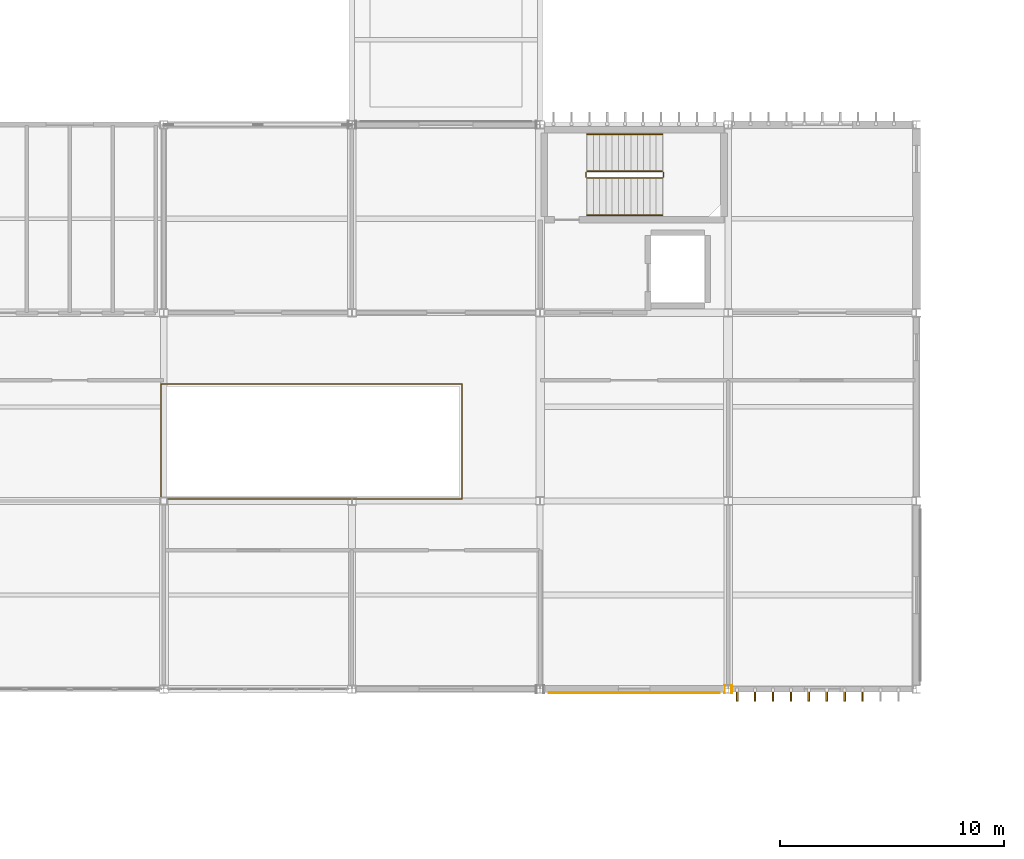
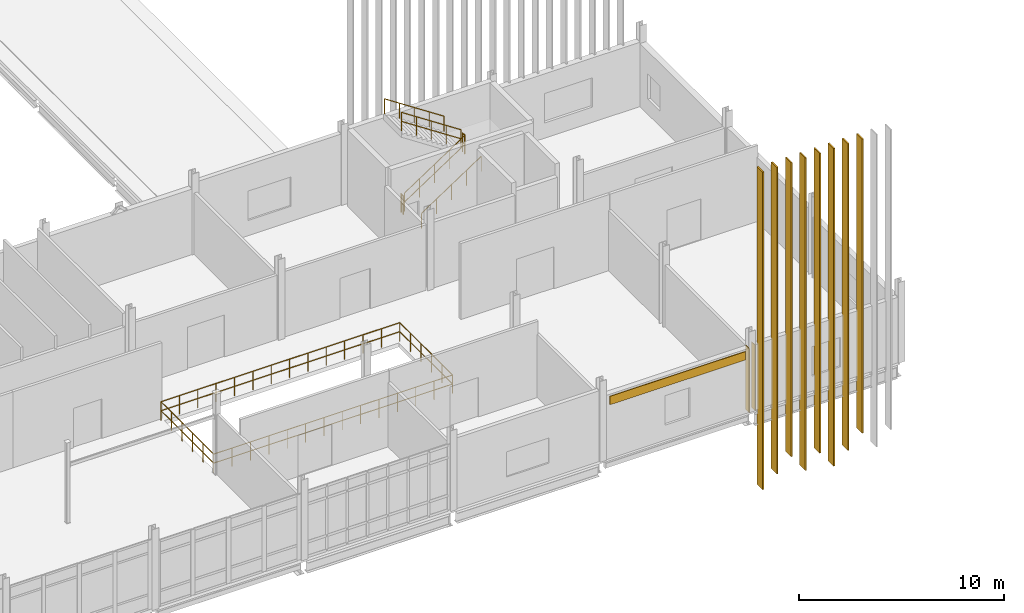
# One storey, part 60 of 72: 11 coverings, 7 railings.
"""IFC4 building model written with IfcOpenShell, lengths in metres."""

from ifc_helpers import new_model, si_unit, direction, frame, origin, origin_2d, place, context, subcontext, project, spatial, polyline, rectangle, circle, outline, extrude, material, layer, layer_set, type_object, element, save


model = new_model("IFC4")

# Units and contexts
model_context = context("Model", 3, precision=1e-05, world=origin(), true_north=direction((0.0, 1.0)))
body_context = subcontext(model_context, "Body", "Model", "MODEL_VIEW")
ifc_project = project(units=[si_unit("LENGTHUNIT", "METRE"), si_unit("AREAUNIT", "SQUARE_METRE"), si_unit("VOLUMEUNIT", "CUBIC_METRE"), si_unit("PLANEANGLEUNIT", "RADIAN"), si_unit("MASSUNIT", "GRAM", prefix="KILO")], contexts=[model_context])

# Site, building, storey
site_placement = place(None, origin())
site = spatial("IfcSite", under=ifc_project, at=site_placement, CompositionType="ELEMENT")
building_placement = place(site_placement, origin())
building = spatial("IfcBuilding", under=site, at=building_placement, Name="Calvrana Isthmian Art Gallery", CompositionType="ELEMENT")
storey_placement = place(building_placement, frame((0.0, 0.0, 15.0)))
storey = spatial("IfcBuildingStorey", under=building, at=storey_placement, Name="L03", CompositionType="ELEMENT", Elevation=15.0)

# Coverings
ifc_material_1 = material(Name="Polychrome glazed terracotta", Category="masonry")
ifc_layer_1 = layer(ifc_material_1, 0.0400390625, Name="Polychrome glazed terracotta")
ifc_layer_set_1 = layer_set([ifc_layer_1], Name="Polychrome glazed terracotta")
covering_type_1 = type_object("IfcCoveringType", Name="COV-CLAD-TERRA", PredefinedType="CLADDING", material=ifc_layer_set_1)
covering_1_placement = place(storey_placement, origin())
element("IfcCovering", 1, at=covering_1_placement, inside=storey, type_object=covering_type_1, Name="Column pocket weather closure L03-08-03-E", PredefinedType="CLADDING", context=body_context, shape_type="SweptSolid", body=[
    extrude(outline(polyline([(71.8134765625, 21.4208984375), (71.853515625, 21.4208984375), (71.853515625, 21.779052734375), (71.8134765625, 21.779052734375), (71.8134765625, 21.4208984375)])), origin(), (0.0, 0.0, 1.0), 3.826904296875),
])
covering_2_placement = place(storey_placement, frame((67.800048828125, 21.431884765625, 3.22705078125), z_axis=(0.0, 0.0, 1.0), x_axis=(-1.0, 0.0, 0.0)))
element("IfcCovering", 2, at=covering_2_placement, inside=storey, type_object=covering_type_1, Name="Terracotta spandrel cladding 145", PredefinedType="CLADDING", context=body_context, shape_type="SweptSolid", body=[
    extrude(rectangle(XDim=7.626953125, YDim=0.0400390625, at=origin_2d()), origin(), (0.0, 0.0, 1.0), 0.5),
])
covering_3_placement = place(storey_placement, origin())
element("IfcCovering", 3, at=covering_3_placement, inside=storey, type_object=covering_type_1, Name="Column pocket weather closure L03-09-03-W", PredefinedType="CLADDING", context=body_context, shape_type="SweptSolid", body=[
    extrude(outline(polyline([(72.146484375, 21.4208984375), (72.1865234375, 21.4208984375), (72.1865234375, 21.779052734375), (72.146484375, 21.779052734375), (72.146484375, 21.4208984375)])), origin(), (0.0, 0.0, 1.0), 3.89794921875),
])
ifc_material_2 = material(Name="Anodized bronze aluminium 6063-T6", Category="aluminium")
ifc_layer_2 = layer(ifc_material_2, 0.074951171875, Name="Anodized bronze aluminium 6063-T6")
ifc_layer_set_2 = layer_set([ifc_layer_2], Name="Anodized bronze aluminium 6063-T6")
covering_type_2 = type_object("IfcCoveringType", Name="COV-FIN-550", PredefinedType="CLADDING", material=ifc_layer_set_2)
covering_4_placement = place(storey_placement, frame((72.39990234375, 21.326904296875, -4.550048828125), z_axis=(0.0, 0.0, 1.0), x_axis=(1.0, 0.0, 0.0)))
element("IfcCovering", 4, at=covering_4_placement, inside=storey, type_object=covering_type_2, Name="Anodized bronze vertical solar fin FN-063", PredefinedType="CLADDING", context=body_context, shape_type="SweptSolid", body=[
    extrude(rectangle(XDim=0.074951171875, YDim=0.550048828125, at=origin_2d()), origin(), (0.0, 0.0, 1.0), 18.89990234375),
])
covering_5_placement = place(storey_placement, frame((73.199951171875, 21.326904296875, -3.89990234375), z_axis=(0.0, 0.0, 1.0), x_axis=(1.0, 0.0, 0.0)))
element("IfcCovering", 5, at=covering_5_placement, inside=storey, type_object=covering_type_2, Name="Anodized bronze vertical solar fin FN-064", PredefinedType="CLADDING", context=body_context, shape_type="SweptSolid", body=[
    extrude(rectangle(XDim=0.074951171875, YDim=0.550048828125, at=origin_2d()), origin(), (0.0, 0.0, 1.0), 18.25),
])
covering_6_placement = place(storey_placement, frame((74.0, 21.326904296875, -3.14990234375), z_axis=(0.0, 0.0, 1.0), x_axis=(1.0, 0.0, 0.0)))
element("IfcCovering", 6, at=covering_6_placement, inside=storey, type_object=covering_type_2, Name="Anodized bronze vertical solar fin FN-065", PredefinedType="CLADDING", context=body_context, shape_type="SweptSolid", body=[
    extrude(rectangle(XDim=0.074951171875, YDim=0.550048828125, at=origin_2d()), origin(), (0.0, 0.0, 1.0), 17.5),
])
covering_7_placement = place(storey_placement, frame((74.800048828125, 21.326904296875, -4.25), z_axis=(0.0, 0.0, 1.0), x_axis=(1.0, 0.0, 0.0)))
element("IfcCovering", 7, at=covering_7_placement, inside=storey, type_object=covering_type_2, Name="Anodized bronze vertical solar fin FN-066", PredefinedType="CLADDING", context=body_context, shape_type="SweptSolid", body=[
    extrude(rectangle(XDim=0.074951171875, YDim=0.550048828125, at=origin_2d()), origin(), (0.0, 0.0, 1.0), 18.60009765625),
])
covering_8_placement = place(storey_placement, frame((75.60009765625, 21.326904296875, -3.5), z_axis=(0.0, 0.0, 1.0), x_axis=(1.0, 0.0, 0.0)))
element("IfcCovering", 8, at=covering_8_placement, inside=storey, type_object=covering_type_2, Name="Anodized bronze vertical solar fin FN-067", PredefinedType="CLADDING", context=body_context, shape_type="SweptSolid", body=[
    extrude(rectangle(XDim=0.074951171875, YDim=0.550048828125, at=origin_2d()), origin(), (0.0, 0.0, 1.0), 17.85009765625),
])
covering_9_placement = place(storey_placement, frame((76.39990234375, 21.326904296875, -4.550048828125), z_axis=(0.0, 0.0, 1.0), x_axis=(1.0, 0.0, 0.0)))
element("IfcCovering", 9, at=covering_9_placement, inside=storey, type_object=covering_type_2, Name="Anodized bronze vertical solar fin FN-068", PredefinedType="CLADDING", context=body_context, shape_type="SweptSolid", body=[
    extrude(rectangle(XDim=0.074951171875, YDim=0.550048828125, at=origin_2d()), origin(), (0.0, 0.0, 1.0), 18.89990234375),
])
covering_10_placement = place(storey_placement, frame((77.199951171875, 21.326904296875, -3.89990234375), z_axis=(0.0, 0.0, 1.0), x_axis=(1.0, 0.0, 0.0)))
element("IfcCovering", 10, at=covering_10_placement, inside=storey, type_object=covering_type_2, Name="Anodized bronze vertical solar fin FN-069", PredefinedType="CLADDING", context=body_context, shape_type="SweptSolid", body=[
    extrude(rectangle(XDim=0.074951171875, YDim=0.550048828125, at=origin_2d()), origin(), (0.0, 0.0, 1.0), 18.25),
])
covering_11_placement = place(storey_placement, frame((78.0, 21.326904296875, -3.14990234375), z_axis=(0.0, 0.0, 1.0), x_axis=(1.0, 0.0, 0.0)))
element("IfcCovering", 11, at=covering_11_placement, inside=storey, type_object=covering_type_2, Name="Anodized bronze vertical solar fin FN-070", PredefinedType="CLADDING", context=body_context, shape_type="SweptSolid", body=[
    extrude(rectangle(XDim=0.074951171875, YDim=0.550048828125, at=origin_2d()), origin(), (0.0, 0.0, 1.0), 17.5),
])

# Railings
ifc_material_3 = material(Name="Stainless steel 316", Category="steel")
railing_type_1 = type_object("IfcRailingType", Name="RL-GUARD-1120", PredefinedType="BALUSTRADE", material=ifc_material_3)
railing_1_placement = place(storey_placement, frame((65.699951171875, 44.419921875, 0.1845703125)))
element("IfcRailing", 12, at=railing_1_placement, inside=storey, type_object=railing_type_1, Name="Stair ST-2 guard L03-1", PredefinedType="BALUSTRADE", context=body_context, shape_type="SweptSolid", body=[
    extrude(circle(Radius=0.02392578125, at=origin_2d()), frame((0.0, 0.0, 1.09619140625), z_axis=(0.834876476806, 0.0, 0.550437342915), x_axis=(0.0, 1.0, 0.0)), (0.0, 0.0, 1.0), 4.024658203125),
    extrude(circle(Radius=0.02392578125, at=origin_2d()), frame((0.0, 0.0, 0.56005859375), z_axis=(0.834876476806, 0.0, 0.550437342915), x_axis=(0.0, 1.0, 0.0)), (0.0, 0.0, 1.0), 4.024658203125),
    extrude(circle(Radius=0.02099609375, at=origin_2d()), origin(), (0.0, 0.0, 1.0), 1.072021484375),
    extrude(circle(Radius=0.02099609375, at=origin_2d()), frame((0.840087890625, 0.0, 0.5537109375)), (0.0, 0.0, 1.0), 1.072021484375),
    extrude(circle(Radius=0.02099609375, at=origin_2d()), frame((1.68017578125, 0.0, 1.107666015625)), (0.0, 0.0, 1.0), 1.072021484375),
    extrude(circle(Radius=0.02099609375, at=origin_2d()), frame((2.52001953125, 0.0, 1.66162109375)), (0.0, 0.0, 1.0), 1.072021484375),
    extrude(circle(Radius=0.02099609375, at=origin_2d()), frame((3.360107421875, 0.0, 2.21533203125)), (0.0, 0.0, 1.0), 1.072021484375),
])
railing_2_placement = place(storey_placement, frame((69.110107421875, 44.469970703125, 2.39990234375)))
element("IfcRailing", 13, at=railing_2_placement, inside=storey, type_object=railing_type_1, Name="Stair ST-2 guard L03-2", PredefinedType="BALUSTRADE", context=body_context, shape_type="SweptSolid", body=[
    extrude(circle(Radius=0.02392578125, at=origin_2d()), frame((0.0, 0.0, 1.09619140625), z_axis=(0.0, 1.0, 0.0), x_axis=(-1.0, 0.0, 0.0)), (0.0, 0.0, 1.0), 0.199951171875),
    extrude(circle(Radius=0.02392578125, at=origin_2d()), frame((0.0, 0.0, 0.56005859375), z_axis=(0.0, 1.0, 0.0), x_axis=(-1.0, 0.0, 0.0)), (0.0, 0.0, 1.0), 0.199951171875),
    extrude(circle(Radius=0.02099609375, at=origin_2d()), origin(), (0.0, 0.0, 1.0), 1.072021484375),
    extrude(circle(Radius=0.02099609375, at=origin_2d()), frame((0.0, 0.199951171875, 0.0)), (0.0, 0.0, 1.0), 1.072021484375),
])
railing_3_placement = place(storey_placement, frame((69.06005859375, 44.719970703125, 2.584716796875)))
element("IfcRailing", 14, at=railing_3_placement, inside=storey, type_object=railing_type_1, Name="Stair ST-2 guard L03-3", PredefinedType="BALUSTRADE", context=body_context, shape_type="SweptSolid", body=[
    extrude(circle(Radius=0.02392578125, at=origin_2d()), frame((0.0, 0.0, 1.09619140625), z_axis=(-0.834876476806, 0.0, 0.550437342915), x_axis=(0.0, -1.0, 0.0)), (0.0, 0.0, 1.0), 4.024658203125),
    extrude(circle(Radius=0.02392578125, at=origin_2d()), frame((0.0, 0.0, 0.56005859375), z_axis=(-0.834876476806, 0.0, 0.550437342915), x_axis=(0.0, -1.0, 0.0)), (0.0, 0.0, 1.0), 4.024658203125),
    extrude(circle(Radius=0.02099609375, at=origin_2d()), origin(), (0.0, 0.0, 1.0), 1.072021484375),
    extrude(circle(Radius=0.02099609375, at=origin_2d()), frame((-0.840087890625, 0.0, 0.5537109375)), (0.0, 0.0, 1.0), 1.072021484375),
    extrude(circle(Radius=0.02099609375, at=origin_2d()), frame((-1.68017578125, 0.0, 1.107666015625)), (0.0, 0.0, 1.0), 1.072021484375),
    extrude(circle(Radius=0.02099609375, at=origin_2d()), frame((-2.52001953125, 0.0, 1.66162109375)), (0.0, 0.0, 1.0), 1.072021484375),
    extrude(circle(Radius=0.02099609375, at=origin_2d()), frame((-3.360107421875, 0.0, 2.21533203125)), (0.0, 0.0, 1.0), 1.072021484375),
])
railing_4_placement = place(storey_placement, frame((65.64990234375, 44.469970703125, 0.0)))
element("IfcRailing", 15, at=railing_4_placement, inside=storey, type_object=railing_type_1, Name="Stair ST-2 guard L03-4", PredefinedType="BALUSTRADE", context=body_context, shape_type="SweptSolid", body=[
    extrude(circle(Radius=0.02392578125, at=origin_2d()), frame((0.0, 0.0, 1.09619140625), z_axis=(0.0, 1.0, 0.0), x_axis=(-1.0, 0.0, 0.0)), (0.0, 0.0, 1.0), 0.199951171875),
    extrude(circle(Radius=0.02392578125, at=origin_2d()), frame((0.0, 0.0, 0.56005859375), z_axis=(0.0, 1.0, 0.0), x_axis=(-1.0, 0.0, 0.0)), (0.0, 0.0, 1.0), 0.199951171875),
    extrude(circle(Radius=0.02099609375, at=origin_2d()), origin(), (0.0, 0.0, 1.0), 1.072021484375),
    extrude(circle(Radius=0.02099609375, at=origin_2d()), frame((0.0, 0.199951171875, 0.0)), (0.0, 0.0, 1.0), 1.072021484375),
])
railing_5_placement = place(storey_placement, frame((46.679931640625, 30.080078125, 0.0)))
element("IfcRailing", 16, at=railing_5_placement, inside=storey, type_object=railing_type_1, Name="Gallery atrium void balustrade L03", PredefinedType="BALUSTRADE", context=body_context, shape_type="SweptSolid", body=[
    extrude(circle(Radius=0.02392578125, at=origin_2d()), frame((0.0, 0.0, 1.09619140625), z_axis=(1.0, 0.0, 0.0), x_axis=(0.0, 1.0, 0.0)), (0.0, 0.0, 1.0), 13.440185546875),
    extrude(circle(Radius=0.02392578125, at=origin_2d()), frame((0.0, 0.0, 0.56005859375), z_axis=(1.0, 0.0, 0.0), x_axis=(0.0, 1.0, 0.0)), (0.0, 0.0, 1.0), 13.440185546875),
    extrude(circle(Radius=0.02392578125, at=origin_2d()), frame((13.440185546875, 0.0, 1.09619140625), z_axis=(0.0, 1.0, 0.0), x_axis=(-1.0, 0.0, 0.0)), (0.0, 0.0, 1.0), 5.139892578125),
    extrude(circle(Radius=0.02392578125, at=origin_2d()), frame((13.440185546875, 0.0, 0.56005859375), z_axis=(0.0, 1.0, 0.0), x_axis=(-1.0, 0.0, 0.0)), (0.0, 0.0, 1.0), 5.139892578125),
    extrude(circle(Radius=0.02392578125, at=origin_2d()), frame((13.440185546875, 5.139892578125, 1.09619140625), z_axis=(-1.0, 0.0, 0.0), x_axis=(0.0, -1.0, 0.0)), (0.0, 0.0, 1.0), 13.440185546875),
    extrude(circle(Radius=0.02392578125, at=origin_2d()), frame((13.440185546875, 5.139892578125, 0.56005859375), z_axis=(-1.0, 0.0, 0.0), x_axis=(0.0, -1.0, 0.0)), (0.0, 0.0, 1.0), 13.440185546875),
    extrude(circle(Radius=0.02392578125, at=origin_2d()), frame((0.0, 5.139892578125, 1.09619140625), z_axis=(0.0, -1.0, 0.0), x_axis=(1.0, 0.0, 0.0)), (0.0, 0.0, 1.0), 5.139892578125),
    extrude(circle(Radius=0.02392578125, at=origin_2d()), frame((0.0, 5.139892578125, 0.56005859375), z_axis=(0.0, -1.0, 0.0), x_axis=(1.0, 0.0, 0.0)), (0.0, 0.0, 1.0), 5.139892578125),
    extrude(circle(Radius=0.02099609375, at=origin_2d()), origin(), (0.0, 0.0, 1.0), 1.072021484375),
    extrude(circle(Radius=0.02099609375, at=origin_2d()), frame((1.033935546875, 0.0, 0.0)), (0.0, 0.0, 1.0), 1.072021484375),
    extrude(circle(Radius=0.02099609375, at=origin_2d()), frame((2.067626953125, 0.0, 0.0)), (0.0, 0.0, 1.0), 1.072021484375),
    extrude(circle(Radius=0.02099609375, at=origin_2d()), frame((3.1015625, 0.0, 0.0)), (0.0, 0.0, 1.0), 1.072021484375),
    extrude(circle(Radius=0.02099609375, at=origin_2d()), frame((4.135498046875, 0.0, 0.0)), (0.0, 0.0, 1.0), 1.072021484375),
    extrude(circle(Radius=0.02099609375, at=origin_2d()), frame((5.169189453125, 0.0, 0.0)), (0.0, 0.0, 1.0), 1.072021484375),
    extrude(circle(Radius=0.02099609375, at=origin_2d()), frame((6.203125, 0.0, 0.0)), (0.0, 0.0, 1.0), 1.072021484375),
    extrude(circle(Radius=0.02099609375, at=origin_2d()), frame((7.237060546875, 0.0, 0.0)), (0.0, 0.0, 1.0), 1.072021484375),
    extrude(circle(Radius=0.02099609375, at=origin_2d()), frame((8.27099609375, 0.0, 0.0)), (0.0, 0.0, 1.0), 1.072021484375),
    extrude(circle(Radius=0.02099609375, at=origin_2d()), frame((9.3046875, 0.0, 0.0)), (0.0, 0.0, 1.0), 1.072021484375),
    extrude(circle(Radius=0.02099609375, at=origin_2d()), frame((10.338623046875, 0.0, 0.0)), (0.0, 0.0, 1.0), 1.072021484375),
    extrude(circle(Radius=0.02099609375, at=origin_2d()), frame((11.37255859375, 0.0, 0.0)), (0.0, 0.0, 1.0), 1.072021484375),
    extrude(circle(Radius=0.02099609375, at=origin_2d()), frame((12.40625, 0.0, 0.0)), (0.0, 0.0, 1.0), 1.072021484375),
    extrude(circle(Radius=0.02099609375, at=origin_2d()), frame((13.440185546875, 0.0, 0.0)), (0.0, 0.0, 1.0), 1.072021484375),
    extrude(circle(Radius=0.02099609375, at=origin_2d()), frame((13.440185546875, 1.028076171875, 0.0)), (0.0, 0.0, 1.0), 1.072021484375),
    extrude(circle(Radius=0.02099609375, at=origin_2d()), frame((13.440185546875, 2.055908203125, 0.0)), (0.0, 0.0, 1.0), 1.072021484375),
    extrude(circle(Radius=0.02099609375, at=origin_2d()), frame((13.440185546875, 3.083984375, 0.0)), (0.0, 0.0, 1.0), 1.072021484375),
    extrude(circle(Radius=0.02099609375, at=origin_2d()), frame((13.440185546875, 4.11181640625, 0.0)), (0.0, 0.0, 1.0), 1.072021484375),
    extrude(circle(Radius=0.02099609375, at=origin_2d()), frame((13.440185546875, 5.139892578125, 0.0)), (0.0, 0.0, 1.0), 1.072021484375),
    extrude(circle(Radius=0.02099609375, at=origin_2d()), frame((12.40625, 5.139892578125, 0.0)), (0.0, 0.0, 1.0), 1.072021484375),
    extrude(circle(Radius=0.02099609375, at=origin_2d()), frame((11.37255859375, 5.139892578125, 0.0)), (0.0, 0.0, 1.0), 1.072021484375),
    extrude(circle(Radius=0.02099609375, at=origin_2d()), frame((10.338623046875, 5.139892578125, 0.0)), (0.0, 0.0, 1.0), 1.072021484375),
    extrude(circle(Radius=0.02099609375, at=origin_2d()), frame((9.3046875, 5.139892578125, 0.0)), (0.0, 0.0, 1.0), 1.072021484375),
    extrude(circle(Radius=0.02099609375, at=origin_2d()), frame((8.27099609375, 5.139892578125, 0.0)), (0.0, 0.0, 1.0), 1.072021484375),
    extrude(circle(Radius=0.02099609375, at=origin_2d()), frame((7.237060546875, 5.139892578125, 0.0)), (0.0, 0.0, 1.0), 1.072021484375),
    extrude(circle(Radius=0.02099609375, at=origin_2d()), frame((6.203125, 5.139892578125, 0.0)), (0.0, 0.0, 1.0), 1.072021484375),
    extrude(circle(Radius=0.02099609375, at=origin_2d()), frame((5.169189453125, 5.139892578125, 0.0)), (0.0, 0.0, 1.0), 1.072021484375),
    extrude(circle(Radius=0.02099609375, at=origin_2d()), frame((4.135498046875, 5.139892578125, 0.0)), (0.0, 0.0, 1.0), 1.072021484375),
    extrude(circle(Radius=0.02099609375, at=origin_2d()), frame((3.1015625, 5.139892578125, 0.0)), (0.0, 0.0, 1.0), 1.072021484375),
    extrude(circle(Radius=0.02099609375, at=origin_2d()), frame((2.067626953125, 5.139892578125, 0.0)), (0.0, 0.0, 1.0), 1.072021484375),
    extrude(circle(Radius=0.02099609375, at=origin_2d()), frame((1.033935546875, 5.139892578125, 0.0)), (0.0, 0.0, 1.0), 1.072021484375),
    extrude(circle(Radius=0.02099609375, at=origin_2d()), frame((0.0, 5.139892578125, 0.0)), (0.0, 0.0, 1.0), 1.072021484375),
    extrude(circle(Radius=0.02099609375, at=origin_2d()), frame((0.0, 4.11181640625, 0.0)), (0.0, 0.0, 1.0), 1.072021484375),
    extrude(circle(Radius=0.02099609375, at=origin_2d()), frame((0.0, 3.083984375, 0.0)), (0.0, 0.0, 1.0), 1.072021484375),
    extrude(circle(Radius=0.02099609375, at=origin_2d()), frame((0.0, 2.055908203125, 0.0)), (0.0, 0.0, 1.0), 1.072021484375),
    extrude(circle(Radius=0.02099609375, at=origin_2d()), frame((0.0, 1.028076171875, 0.0)), (0.0, 0.0, 1.0), 1.072021484375),
])
railing_type_2 = type_object("IfcRailingType", Name="RL-HAND-920", PredefinedType="HANDRAIL", material=ifc_material_3)
railing_6_placement = place(storey_placement, frame((65.699951171875, 42.760009765625, 0.1845703125)))
element("IfcRailing", 17, at=railing_6_placement, inside=storey, type_object=railing_type_2, Name="Stair ST-2 handrail L03-1", PredefinedType="HANDRAIL", context=body_context, shape_type="SweptSolid", body=[
    extrude(circle(Radius=0.02392578125, at=origin_2d()), frame((0.0, 0.0, 0.89599609375), z_axis=(0.834876476806, 0.0, 0.550437342915), x_axis=(0.0, 1.0, 0.0)), (0.0, 0.0, 1.0), 4.024658203125),
    extrude(circle(Radius=0.02099609375, at=origin_2d()), origin(), (0.0, 0.0, 1.0), 0.871826171875),
    extrude(circle(Radius=0.02099609375, at=origin_2d()), frame((0.840087890625, 0.0, 0.5537109375)), (0.0, 0.0, 1.0), 0.871826171875),
    extrude(circle(Radius=0.02099609375, at=origin_2d()), frame((1.68017578125, 0.0, 1.107666015625)), (0.0, 0.0, 1.0), 0.871826171875),
    extrude(circle(Radius=0.02099609375, at=origin_2d()), frame((2.52001953125, 0.0, 1.66162109375)), (0.0, 0.0, 1.0), 0.871826171875),
    extrude(circle(Radius=0.02099609375, at=origin_2d()), frame((3.360107421875, 0.0, 2.21533203125)), (0.0, 0.0, 1.0), 0.871826171875),
])
railing_7_placement = place(storey_placement, frame((69.06005859375, 46.3798828125, 2.584716796875)))
element("IfcRailing", 18, at=railing_7_placement, inside=storey, type_object=railing_type_2, Name="Stair ST-2 handrail L03-2", PredefinedType="HANDRAIL", context=body_context, shape_type="SweptSolid", body=[
    extrude(circle(Radius=0.02392578125, at=origin_2d()), frame((0.0, 0.0, 0.89599609375), z_axis=(-0.834876476806, 0.0, 0.550437342915), x_axis=(0.0, -1.0, 0.0)), (0.0, 0.0, 1.0), 4.024658203125),
    extrude(circle(Radius=0.02099609375, at=origin_2d()), origin(), (0.0, 0.0, 1.0), 0.871826171875),
    extrude(circle(Radius=0.02099609375, at=origin_2d()), frame((-0.840087890625, 0.0, 0.5537109375)), (0.0, 0.0, 1.0), 0.871826171875),
    extrude(circle(Radius=0.02099609375, at=origin_2d()), frame((-1.68017578125, 0.0, 1.107666015625)), (0.0, 0.0, 1.0), 0.871826171875),
    extrude(circle(Radius=0.02099609375, at=origin_2d()), frame((-2.52001953125, 0.0, 1.66162109375)), (0.0, 0.0, 1.0), 0.871826171875),
    extrude(circle(Radius=0.02099609375, at=origin_2d()), frame((-3.360107421875, 0.0, 2.21533203125)), (0.0, 0.0, 1.0), 0.871826171875),
])

save(model, "model.ifc")
